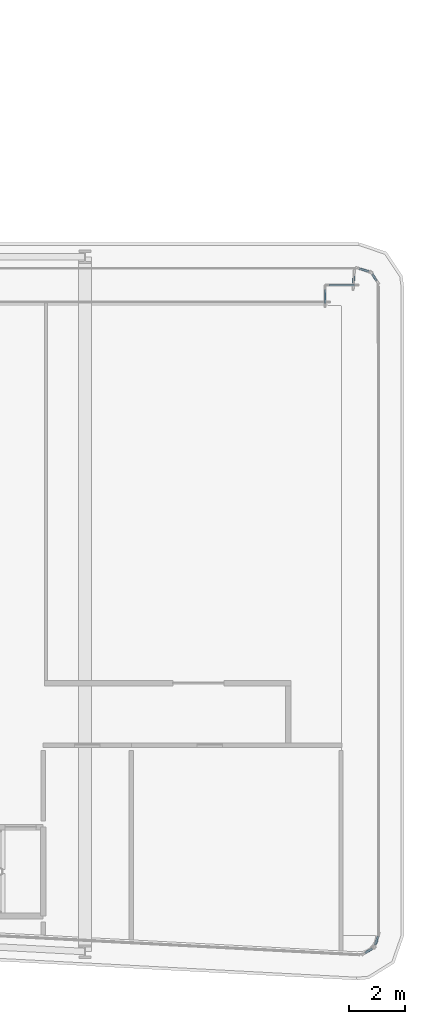
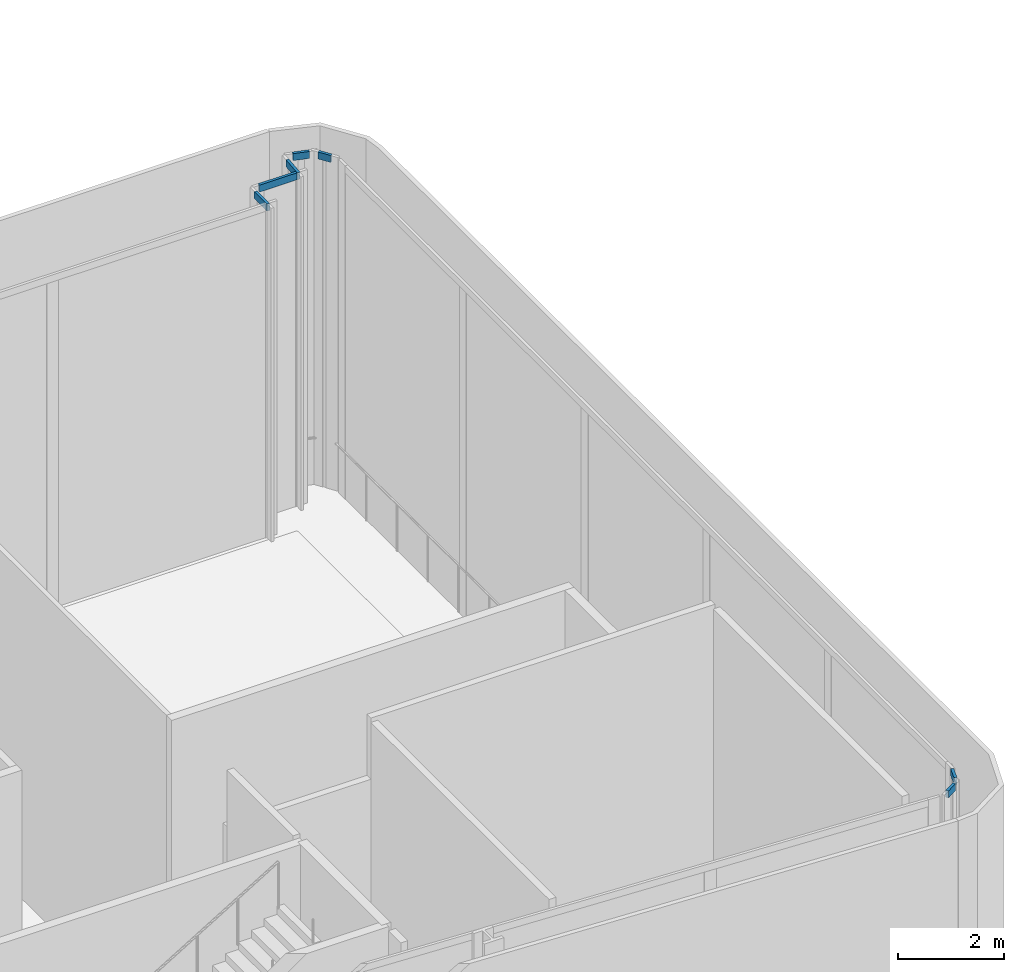
# One storey, part 18 of 36: 7 members, 7 elements without a shape of their own.
"""IFC4 building model written with IfcOpenShell, lengths in metres."""

from ifc_helpers import new_model, si_unit, direction, frame, origin, origin_2d, place, context, subcontext, project, spatial, rectangle, extrude, material, layer, layer_set, material_profile, profile_set, type_object, element, aggregate, save


model = new_model("IFC4")

# Units and contexts
model_context = context("Model", 3, precision=1e-05, world=origin(), true_north=direction((0.0, 1.0)))
body_context = subcontext(model_context, "Body", "Model", "MODEL_VIEW")
ifc_project = project(units=[si_unit("LENGTHUNIT", "METRE"), si_unit("AREAUNIT", "SQUARE_METRE"), si_unit("VOLUMEUNIT", "CUBIC_METRE"), si_unit("PLANEANGLEUNIT", "RADIAN"), si_unit("MASSUNIT", "GRAM", prefix="KILO")], contexts=[model_context])

# Site, building, storey
site_placement = place(None, origin())
site = spatial("IfcSite", under=ifc_project, at=site_placement, CompositionType="ELEMENT")
building_placement = place(site_placement, origin())
building = spatial("IfcBuilding", under=site, at=building_placement, Name="Kheshtan School and Residences Tower", CompositionType="ELEMENT")
storey_placement = place(building_placement, frame((0.0, 0.0, 81.199951171875)))
storey = spatial("IfcBuildingStorey", under=building, at=storey_placement, Name="L19", CompositionType="ELEMENT", Elevation=81.199951171875)

# Curtain wall, member
ifc_material_1 = material(Name="Clear low-e glass in thermally broken aluminium frame", Category="aluminium")
ifc_layer = layer(ifc_material_1, 0.25)
ifc_layer_set = layer_set([ifc_layer], Name="Curtain wall CW-K")
curtain_wall_type = type_object("IfcCurtainWallType", Name="Curtain wall CW-K", PredefinedType="NOTDEFINED", material=ifc_layer_set)
curtain_wall_1_placement = place(storey_placement, origin())
curtain_wall_1 = element("IfcCurtainWall", 1, at=curtain_wall_1_placement, inside=storey, type_object=curtain_wall_type, Name="Curtain wall CWK6", PredefinedType="NOTDEFINED")
ifc_material_2 = material(Name="Thermally broken aluminium, dark bronze anodised", Category="aluminium")
ifc_material_profile = material_profile(ifc_material_2, rectangle(XDim=0.06005859375, YDim=0.159912109375, at=origin_2d()), Name="CW-K transom 60x160")
ifc_profile_set = profile_set([ifc_material_profile], Name="Thermally broken aluminium, dark bronze anodised")
member_type = type_object("IfcMemberType", Name="CW-K transom 60x160", PredefinedType="USERDEFINED", material=ifc_profile_set)
member_1_placement = place(storey_placement, frame((99.300048828125, 43.9599609375, 7.570068359375), z_axis=(0.0, 1.0, 0.0), x_axis=(-1.0, 0.0, 0.0)))
member_1 = element("IfcMember", 2, at=member_1_placement, type_object=member_type, Name="CWK6 transom 1", ObjectType="TRANSOM", PredefinedType="USERDEFINED", context=body_context, shape_type="SweptSolid", body=[
    extrude(rectangle(XDim=0.06005859375, YDim=0.159912109375, at=origin_2d()), origin(), (0.0, 0.0, 1.0), 0.47998046875),
])
aggregate(curtain_wall_1, [member_1])

curtain_wall_2_placement = place(storey_placement, origin())
curtain_wall_2 = element("IfcCurtainWall", 3, at=curtain_wall_2_placement, inside=storey, type_object=curtain_wall_type, Name="Curtain wall CWK7", PredefinedType="NOTDEFINED")
member_2_placement = place(storey_placement, frame((99.4599609375, 44.60009765625, 7.570068359375), z_axis=(1.0, 0.0, 0.0), x_axis=(0.0, 1.0, 0.0)))
member_2 = element("IfcMember", 4, at=member_2_placement, type_object=member_type, Name="CWK7 transom 1", ObjectType="TRANSOM", PredefinedType="USERDEFINED", context=body_context, shape_type="SweptSolid", body=[
    extrude(rectangle(XDim=0.06005859375, YDim=0.159912109375, at=origin_2d()), origin(), (0.0, 0.0, 1.0), 0.881103515625),
])
aggregate(curtain_wall_2, [member_2])

curtain_wall_3_placement = place(storey_placement, origin())
curtain_wall_3 = element("IfcCurtainWall", 5, at=curtain_wall_3_placement, inside=storey, type_object=curtain_wall_type, Name="Curtain wall CWK8", PredefinedType="NOTDEFINED")
member_3_placement = place(storey_placement, frame((100.30517578125, 44.56640625, 7.570068359375), z_axis=(0.064936372155, 0.997889406483, 0.0), x_axis=(-0.997889406483, 0.064936372155, 0.0)))
member_3 = element("IfcMember", 6, at=member_3_placement, type_object=member_type, Name="CWK8 transom 1", ObjectType="TRANSOM", PredefinedType="USERDEFINED", context=body_context, shape_type="SweptSolid", body=[
    extrude(rectangle(XDim=0.06005859375, YDim=0.159912109375, at=origin_2d()), origin(), (0.0, 0.0, 1.0), 0.481201171875),
])
aggregate(curtain_wall_3, [member_3])

curtain_wall_4_placement = place(storey_placement, origin())
curtain_wall_4 = element("IfcCurtainWall", 7, at=curtain_wall_4_placement, inside=storey, type_object=curtain_wall_type, Name="Curtain wall CWK9", PredefinedType="NOTDEFINED")
member_4_placement = place(storey_placement, frame((100.52587890625, 45.1787109375, 7.570068359375), z_axis=(0.958859024392, -0.283882671789, 0.0), x_axis=(0.283882671789, 0.958859024392, 0.0)))
member_4 = element("IfcMember", 8, at=member_4_placement, type_object=member_type, Name="CWK9 transom 1", ObjectType="TRANSOM", PredefinedType="USERDEFINED", context=body_context, shape_type="SweptSolid", body=[
    extrude(rectangle(XDim=0.06005859375, YDim=0.159912109375, at=origin_2d()), origin(), (0.0, 0.0, 1.0), 0.3232421875),
])
aggregate(curtain_wall_4, [member_4])

curtain_wall_5_placement = place(storey_placement, origin())
curtain_wall_5 = element("IfcCurtainWall", 9, at=curtain_wall_5_placement, inside=storey, type_object=curtain_wall_type, Name="Curtain wall CWK10", PredefinedType="NOTDEFINED")
member_5_placement = place(storey_placement, frame((100.9814453125, 44.979736328125, 7.570068359375), z_axis=(0.555554602959, -0.831480055762, 0.0), x_axis=(0.831480055762, 0.555554602959, 0.0)))
member_5 = element("IfcMember", 10, at=member_5_placement, type_object=member_type, Name="CWK10 transom 1", ObjectType="TRANSOM", PredefinedType="USERDEFINED", context=body_context, shape_type="SweptSolid", body=[
    extrude(rectangle(XDim=0.06005859375, YDim=0.159912109375, at=origin_2d()), origin(), (0.0, 0.0, 1.0), 0.263671875),
])
aggregate(curtain_wall_5, [member_5])

curtain_wall_6_placement = place(storey_placement, origin())
curtain_wall_6 = element("IfcCurtainWall", 11, at=curtain_wall_6_placement, inside=storey, type_object=curtain_wall_type, Name="Curtain wall CWK12", PredefinedType="NOTDEFINED")
member_6_placement = place(storey_placement, frame((101.176513671875, 21.52392578125, 7.570068359375), z_axis=(-0.310460806599, -0.95058618103, 0.0), x_axis=(0.95058618103, -0.310460806599, 0.0)))
member_6 = element("IfcMember", 12, at=member_6_placement, type_object=member_type, Name="CWK12 transom 1", ObjectType="TRANSOM", PredefinedType="USERDEFINED", context=body_context, shape_type="SweptSolid", body=[
    extrude(rectangle(XDim=0.06005859375, YDim=0.159912109375, at=origin_2d()), origin(), (0.0, 0.0, 1.0), 0.30517578125),
])
aggregate(curtain_wall_6, [member_6])

curtain_wall_7_placement = place(storey_placement, origin())
curtain_wall_7 = element("IfcCurtainWall", 13, at=curtain_wall_7_placement, inside=storey, type_object=curtain_wall_type, Name="Curtain wall CWK13", PredefinedType="NOTDEFINED")
member_7_placement = place(storey_placement, frame((100.9697265625, 21.09130859375, 7.570068359375), z_axis=(-0.849707485057, -0.527254388164, 0.0), x_axis=(0.527254388164, -0.849707485057, 0.0)))
member_7 = element("IfcMember", 14, at=member_7_placement, type_object=member_type, Name="CWK13 transom 1", ObjectType="TRANSOM", PredefinedType="USERDEFINED", context=body_context, shape_type="SweptSolid", body=[
    extrude(rectangle(XDim=0.06005859375, YDim=0.159912109375, at=origin_2d()), origin(), (0.0, 0.0, 1.0), 0.280029296875),
])
aggregate(curtain_wall_7, [member_7])

save(model, "model.ifc")
